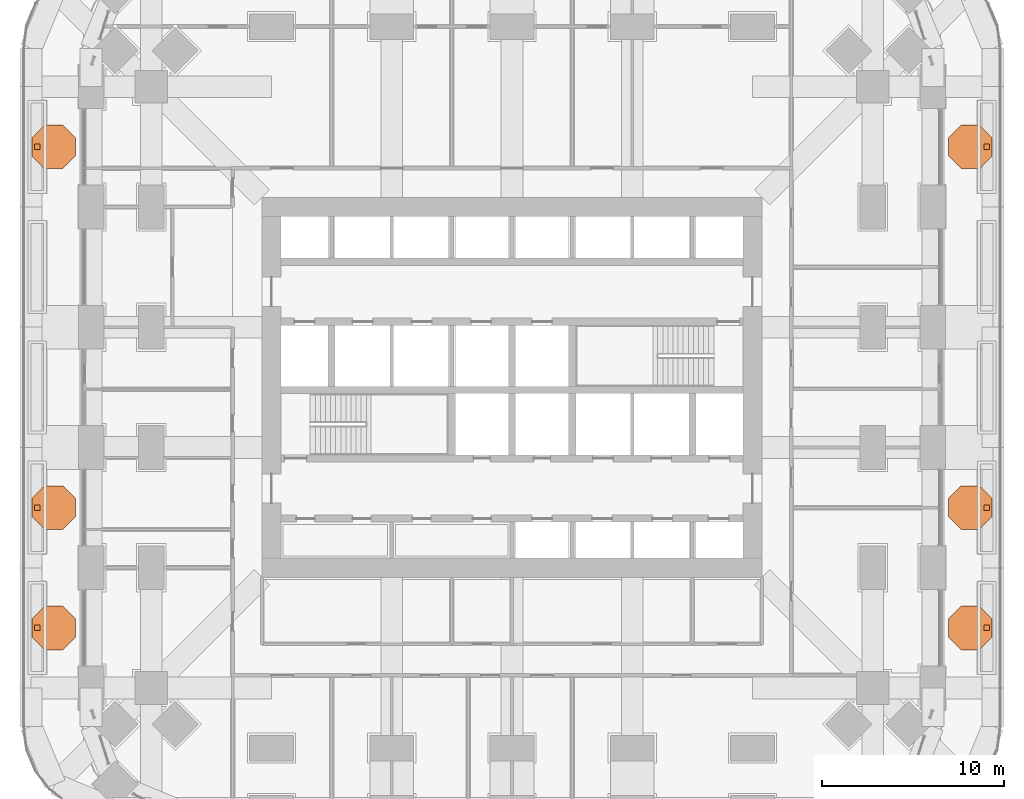
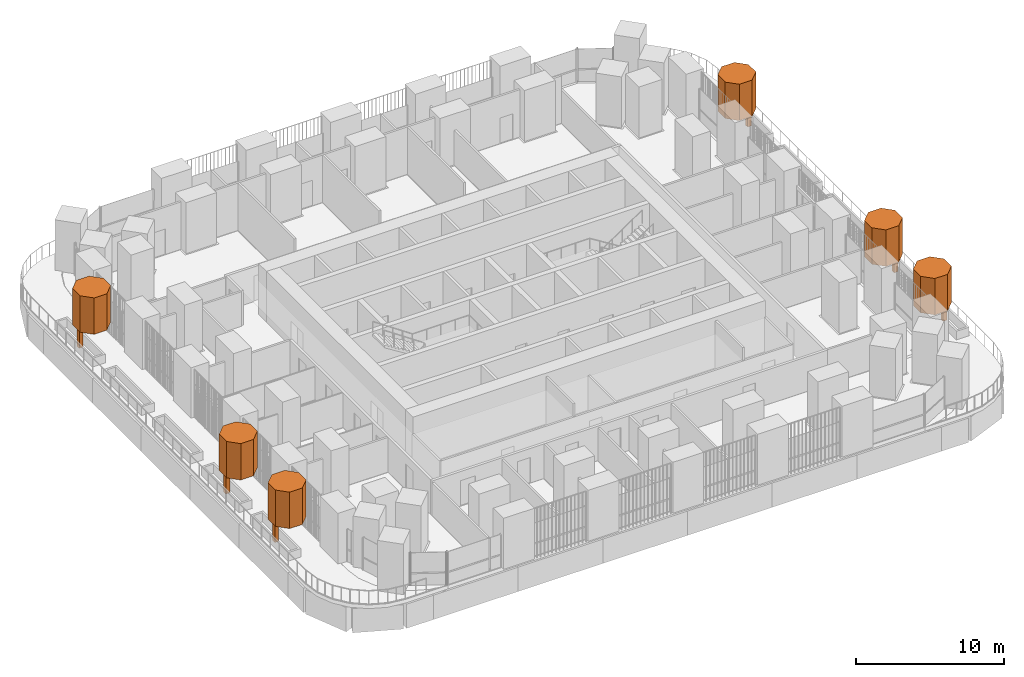
# One storey, part 27 of 27: 12 geographic elements.
"""IFC4 building model written with IfcOpenShell, lengths in metres."""

from ifc_helpers import new_model, si_unit, direction, frame, origin, origin_2d, place, context, subcontext, project, spatial, polyline, rectangle, outline, extrude, material, type_object, element, save


model = new_model("IFC4")

# Units and contexts
model_context = context("Model", 3, precision=1e-05, world=origin(), true_north=direction((0.0, 1.0)))
body_context = subcontext(model_context, "Body", "Model", "MODEL_VIEW")
ifc_project = project(units=[si_unit("LENGTHUNIT", "METRE"), si_unit("AREAUNIT", "SQUARE_METRE"), si_unit("VOLUMEUNIT", "CUBIC_METRE"), si_unit("PLANEANGLEUNIT", "RADIAN"), si_unit("MASSUNIT", "GRAM", prefix="KILO")], contexts=[model_context])

# Site, building, storey
site_placement = place(None, origin())
site = spatial("IfcSite", under=ifc_project, at=site_placement, CompositionType="ELEMENT")
building_placement = place(site_placement, origin())
building = spatial("IfcBuilding", under=site, at=building_placement, Name="Cobogo Forest Laboratory Tower", CompositionType="ELEMENT")
storey_placement = place(building_placement, frame((0.0, 0.0, 82.199951171875)))
storey = spatial("IfcBuildingStorey", under=building, at=storey_placement, Name="L18", CompositionType="ELEMENT", Elevation=82.199951171875)

# Geographic elements
ifc_material = material(Name="Planting", Category="plant")
geographic_element_type_1 = type_object("IfcGeographicElementType", Name="Tree trunk 300", PredefinedType="USERDEFINED", material=ifc_material)
for number, where, z_axis, x_axis, name in (
    (1, (0.35009765625, 9.89990234375, 0.0), (0.0, 0.0, 1.0), (1.0, 0.0, 0.0), "Tree trunk TER-W-PL1 L18"),
    (2, (0.35009765625, 16.5, 0.0), (0.0, 0.0, 1.0), (1.0, 0.0, 0.0), "Tree trunk TER-W-PL2 L18"),
    (3, (0.35009765625, 36.300048828125, 0.0), (0.0, 0.0, 1.0), (1.0, 0.0, 0.0), "Tree trunk TER-W-PL5 L18"),
    (4, (52.449951171875, 9.89990234375, 0.0), (0.0, 0.0, 1.0), (1.0, 0.0, 0.0), "Tree trunk TER-E-PL1 L18"),
    (5, (52.449951171875, 16.5, 0.0), (0.0, 0.0, 1.0), (1.0, 0.0, 0.0), "Tree trunk TER-E-PL2 L18"),
    (6, (52.449951171875, 36.300048828125, 0.0), (0.0, 0.0, 1.0), (1.0, 0.0, 0.0), "Tree trunk TER-E-PL5 L18"),
):
    element("IfcGeographicElement", number, at=place(storey_placement, frame(where, z_axis=z_axis, x_axis=x_axis)), inside=storey, type_object=geographic_element_type_1, Name=name, ObjectType="TREE TRUNK", PredefinedType="USERDEFINED", context=body_context, shape_type="SweptSolid", body=[
        extrude(rectangle(XDim=0.300048828125, YDim=0.300048828125, at=origin_2d()), origin(), (0.0, 0.0, 1.0), 1.60009765625),
    ])
geographic_element_type_2 = type_object("IfcGeographicElementType", Name="Tree, olive 4 m", PredefinedType="USERDEFINED", material=ifc_material)
geographic_element_1_placement = place(storey_placement, frame((0.0, 0.0, 1.60009765625)))
element("IfcGeographicElement", 7, at=geographic_element_1_placement, inside=storey, type_object=geographic_element_type_2, Name="Olive tree TER-W-PL1 L18", ObjectType="TREE", PredefinedType="USERDEFINED", context=body_context, shape_type="SweptSolid", body=[
    extrude(outline(polyline([(2.449951171875, 9.40283203125), (2.449951171875, 10.39697265625), (1.7470703125, 11.10009765625), (0.7529296875, 11.10009765625), (0.050048828125, 10.39697265625), (0.050048828125, 9.40283203125), (0.7529296875, 8.699951171875), (1.7470703125, 8.699951171875), (2.449951171875, 9.40283203125)])), origin(), (0.0, 0.0, 1.0), 3.0),
])
geographic_element_2_placement = place(storey_placement, frame((0.0, 0.0, 1.60009765625)))
element("IfcGeographicElement", 8, at=geographic_element_2_placement, inside=storey, type_object=geographic_element_type_2, Name="Olive tree TER-W-PL2 L18", ObjectType="TREE", PredefinedType="USERDEFINED", context=body_context, shape_type="SweptSolid", body=[
    extrude(outline(polyline([(2.449951171875, 16.0029296875), (2.449951171875, 16.9970703125), (1.7470703125, 17.699951171875), (0.7529296875, 17.699951171875), (0.050048828125, 16.9970703125), (0.050048828125, 16.0029296875), (0.7529296875, 15.300048828125), (1.7470703125, 15.300048828125), (2.449951171875, 16.0029296875)])), origin(), (0.0, 0.0, 1.0), 3.0),
])
geographic_element_3_placement = place(storey_placement, frame((0.0, 0.0, 1.60009765625)))
element("IfcGeographicElement", 9, at=geographic_element_3_placement, inside=storey, type_object=geographic_element_type_2, Name="Olive tree TER-W-PL5 L18", ObjectType="TREE", PredefinedType="USERDEFINED", context=body_context, shape_type="SweptSolid", body=[
    extrude(outline(polyline([(2.449951171875, 35.802978515625), (2.449951171875, 36.797119140625), (1.7470703125, 37.5), (0.7529296875, 37.5), (0.050048828125, 36.797119140625), (0.050048828125, 35.802978515625), (0.7529296875, 35.10009765625), (1.7470703125, 35.10009765625), (2.449951171875, 35.802978515625)])), origin(), (0.0, 0.0, 1.0), 3.0),
])
geographic_element_4_placement = place(storey_placement, frame((0.0, 0.0, 1.60009765625)))
element("IfcGeographicElement", 10, at=geographic_element_4_placement, inside=storey, type_object=geographic_element_type_2, Name="Olive tree TER-E-PL1 L18", ObjectType="TREE", PredefinedType="USERDEFINED", context=body_context, shape_type="SweptSolid", body=[
    extrude(outline(polyline([(52.75, 9.40283203125), (52.75, 10.39697265625), (52.047119140625, 11.10009765625), (51.052978515625, 11.10009765625), (50.35009765625, 10.39697265625), (50.35009765625, 9.40283203125), (51.052978515625, 8.699951171875), (52.047119140625, 8.699951171875), (52.75, 9.40283203125)])), origin(), (0.0, 0.0, 1.0), 3.0),
])
geographic_element_5_placement = place(storey_placement, frame((0.0, 0.0, 1.60009765625)))
element("IfcGeographicElement", 11, at=geographic_element_5_placement, inside=storey, type_object=geographic_element_type_2, Name="Olive tree TER-E-PL2 L18", ObjectType="TREE", PredefinedType="USERDEFINED", context=body_context, shape_type="SweptSolid", body=[
    extrude(outline(polyline([(52.75, 16.0029296875), (52.75, 16.9970703125), (52.047119140625, 17.699951171875), (51.052978515625, 17.699951171875), (50.35009765625, 16.9970703125), (50.35009765625, 16.0029296875), (51.052978515625, 15.300048828125), (52.047119140625, 15.300048828125), (52.75, 16.0029296875)])), origin(), (0.0, 0.0, 1.0), 3.0),
])
geographic_element_6_placement = place(storey_placement, frame((0.0, 0.0, 1.60009765625)))
element("IfcGeographicElement", 12, at=geographic_element_6_placement, inside=storey, type_object=geographic_element_type_2, Name="Olive tree TER-E-PL5 L18", ObjectType="TREE", PredefinedType="USERDEFINED", context=body_context, shape_type="SweptSolid", body=[
    extrude(outline(polyline([(52.75, 35.802978515625), (52.75, 36.797119140625), (52.047119140625, 37.5), (51.052978515625, 37.5), (50.35009765625, 36.797119140625), (50.35009765625, 35.802978515625), (51.052978515625, 35.10009765625), (52.047119140625, 35.10009765625), (52.75, 35.802978515625)])), origin(), (0.0, 0.0, 1.0), 3.0),
])

save(model, "model.ifc")
